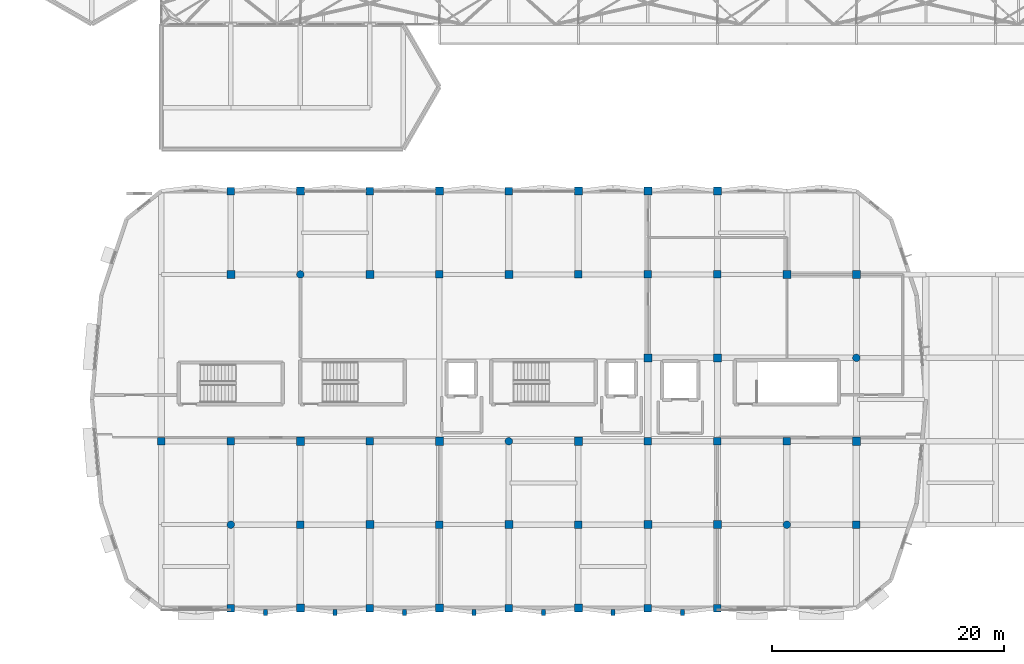
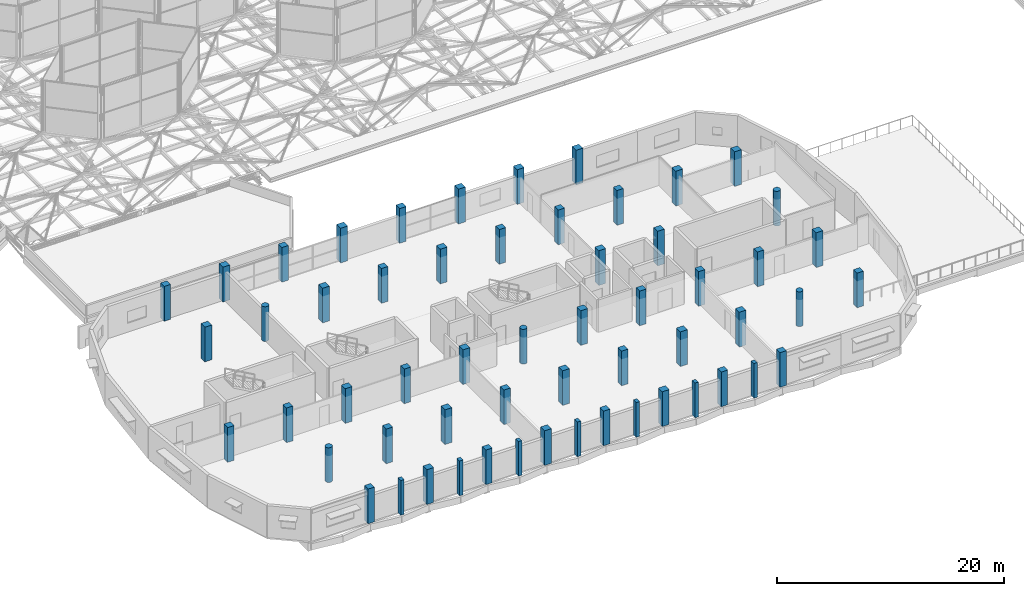
# One storey, part 1 of 239: 57 columns.
"""IFC4 building model written with IfcOpenShell, lengths in metres."""

from ifc_helpers import new_model, si_unit, direction, frame, origin, origin_2d, place, context, subcontext, project, spatial, rectangle, circle, extrude, material, material_profile, profile_set, type_object, element, save


model = new_model("IFC4")

# Units and contexts
model_context = context("Model", 3, precision=1e-05, world=origin(), true_north=direction((0.0, 1.0)))
body_context = subcontext(model_context, "Body", "Model", "MODEL_VIEW")
ifc_project = project(units=[si_unit("LENGTHUNIT", "METRE"), si_unit("AREAUNIT", "SQUARE_METRE"), si_unit("VOLUMEUNIT", "CUBIC_METRE"), si_unit("PLANEANGLEUNIT", "RADIAN"), si_unit("MASSUNIT", "GRAM", prefix="KILO")], contexts=[model_context])

# Site, building, storey
site_placement = place(None, origin())
site = spatial("IfcSite", under=ifc_project, at=site_placement, CompositionType="ELEMENT")
building_placement = place(site_placement, origin())
building = spatial("IfcBuilding", under=site, at=building_placement, Name="Dunvalen Ferry Terminal", CompositionType="ELEMENT")
storey_placement = place(building_placement, frame((0.0, 0.0, 9.840087890625)))
storey = spatial("IfcBuildingStorey", under=building, at=storey_placement, Name="L02", CompositionType="ELEMENT", Elevation=9.840087890625)

# Columns
ifc_material = material(Name="Concrete C40/50", Category="concrete")
ifc_material_profile_1 = material_profile(ifc_material, circle(Radius=0.324951171875, at=origin_2d()), Name="Concrete C40/50")
ifc_profile_set_1 = profile_set([ifc_material_profile_1], Name="Concrete C40/50")
column_type_1 = type_object("IfcColumnType", Name="STR-COL-D650", PredefinedType="COLUMN", material=ifc_profile_set_1)
for number, where, z_axis, x_axis, name in (
    (1, (18.0, 7.199951171875, 0.0), (0.0, 0.0, 1.0), (1.0, 0.0, 0.0), "L02 Maritime Wing Column 014"),
    (2, (24.0, 28.800048828125, 0.0), (0.0, 0.0, 1.0), (1.0, 0.0, 0.0), "L02 Maritime Wing Column 021"),
    (3, (42.0, 14.39990234375, 0.0), (0.0, 0.0, 1.0), (1.0, 0.0, 0.0), "L02 Maritime Wing Column 035"),
    (4, (66.0, 7.199951171875, 0.0), (0.0, 0.0, 1.0), (1.0, 0.0, 0.0), "L02 Maritime Wing Column 056"),
    (5, (72.0, 21.60009765625, 0.0), (0.0, 0.0, 1.0), (1.0, 0.0, 0.0), "L02 Maritime Wing Column 063"),
):
    element("IfcColumn", number, at=place(storey_placement, frame(where, z_axis=z_axis, x_axis=x_axis)), inside=storey, type_object=column_type_1, Name=name, PredefinedType="COLUMN", context=body_context, shape_type="SweptSolid", body=[
        extrude(circle(Radius=0.324951171875, at=origin_2d()), origin(), (0.0, 0.0, 1.0), 3.739990234375),
    ])
ifc_material_profile_2 = material_profile(ifc_material, rectangle(XDim=0.64990234375, YDim=0.64990234375, at=origin_2d()), Name="Concrete C40/50")
ifc_profile_set_2 = profile_set([ifc_material_profile_2], Name="Concrete C40/50")
column_type_2 = type_object("IfcColumnType", Name="STR-COL-RC650", PredefinedType="COLUMN", material=ifc_profile_set_2)
for number, where, z_axis, x_axis, name in (
    (6, (12.0, 14.39990234375, 0.0), (0.0, 0.0, 1.0), (1.0, 0.0, 0.0), "L02 Maritime Wing Column 009"),
    (7, (18.0, 0.0, 0.0), (0.0, 0.0, 1.0), (1.0, 0.0, 0.0), "L02 Maritime Wing Column 013"),
    (8, (18.0, 14.39990234375, 0.0), (0.0, 0.0, 1.0), (1.0, 0.0, 0.0), "L02 Maritime Wing Column 015"),
    (9, (18.0, 36.0, 0.0), (0.0, 0.0, 1.0), (1.0, 0.0, 0.0), "L02 Maritime Wing Column 017"),
    (10, (24.0, 7.199951171875, 0.0), (0.0, 0.0, 1.0), (1.0, 0.0, 0.0), "L02 Maritime Wing Column 019"),
    (11, (30.0, 0.0, 0.0), (0.0, 0.0, 1.0), (1.0, 0.0, 0.0), "L02 Maritime Wing Column 023"),
    (12, (30.0, 14.39990234375, 0.0), (0.0, 0.0, 1.0), (1.0, 0.0, 0.0), "L02 Maritime Wing Column 025"),
    (13, (30.0, 36.0, 0.0), (0.0, 0.0, 1.0), (1.0, 0.0, 0.0), "L02 Maritime Wing Column 027"),
    (14, (36.0, 7.199951171875, 0.0), (0.0, 0.0, 1.0), (1.0, 0.0, 0.0), "L02 Maritime Wing Column 029"),
    (15, (36.0, 28.800048828125, 0.0), (0.0, 0.0, 1.0), (1.0, 0.0, 0.0), "L02 Maritime Wing Column 031"),
    (16, (42.0, 0.0, 0.0), (0.0, 0.0, 1.0), (1.0, 0.0, 0.0), "L02 Maritime Wing Column 033"),
    (17, (42.0, 36.0, 0.0), (0.0, 0.0, 1.0), (1.0, 0.0, 0.0), "L02 Maritime Wing Column 037"),
    (18, (48.0, 7.199951171875, 0.0), (0.0, 0.0, 1.0), (1.0, 0.0, 0.0), "L02 Maritime Wing Column 039"),
    (19, (48.0, 28.800048828125, 0.0), (0.0, 0.0, 1.0), (1.0, 0.0, 0.0), "L02 Maritime Wing Column 041"),
    (20, (54.0, 0.0, 0.0), (0.0, 0.0, 1.0), (1.0, 0.0, 0.0), "L02 Maritime Wing Column 043"),
    (21, (54.0, 14.39990234375, 0.0), (0.0, 0.0, 1.0), (1.0, 0.0, 0.0), "L02 Maritime Wing Column 045"),
    (22, (54.0, 28.800048828125, 0.0), (0.0, 0.0, 1.0), (1.0, 0.0, 0.0), "L02 Maritime Wing Column 047"),
    (23, (60.0, 0.0, 0.0), (0.0, 0.0, 1.0), (1.0, 0.0, 0.0), "L02 Maritime Wing Column 049"),
    (24, (60.0, 14.39990234375, 0.0), (0.0, 0.0, 1.0), (1.0, 0.0, 0.0), "L02 Maritime Wing Column 051"),
    (25, (60.0, 28.800048828125, 0.0), (0.0, 0.0, 1.0), (1.0, 0.0, 0.0), "L02 Maritime Wing Column 053"),
    (26, (66.0, 14.39990234375, 0.0), (0.0, 0.0, 1.0), (1.0, 0.0, 0.0), "L02 Maritime Wing Column 057"),
    (27, (72.0, 7.199951171875, 0.0), (0.0, 0.0, 1.0), (1.0, 0.0, 0.0), "L02 Maritime Wing Column 061"),
):
    element("IfcColumn", number, at=place(storey_placement, frame(where, z_axis=z_axis, x_axis=x_axis)), inside=storey, type_object=column_type_2, Name=name, PredefinedType="COLUMN", context=body_context, shape_type="SweptSolid", body=[
        extrude(rectangle(XDim=0.64990234375, YDim=0.64990234375, at=origin_2d()), origin(), (0.0, 0.0, 1.0), 3.739990234375),
    ])
ifc_material_profile_3 = material_profile(ifc_material, rectangle(XDim=0.699951171875, YDim=0.699951171875, at=origin_2d()), Name="Concrete C40/50")
ifc_profile_set_3 = profile_set([ifc_material_profile_3], Name="Concrete C40/50")
column_type_3 = type_object("IfcColumnType", Name="STR-COL-RC700", PredefinedType="COLUMN", material=ifc_profile_set_3)
for number, where, z_axis, x_axis, name in (
    (28, (18.0, 28.800048828125, 0.0), (0.0, 0.0, 1.0), (1.0, 0.0, 0.0), "L02 Maritime Wing Column 016"),
    (29, (24.0, 0.0, 0.0), (0.0, 0.0, 1.0), (1.0, 0.0, 0.0), "L02 Maritime Wing Column 018"),
    (30, (24.0, 14.39990234375, 0.0), (0.0, 0.0, 1.0), (1.0, 0.0, 0.0), "L02 Maritime Wing Column 020"),
    (31, (24.0, 36.0, 0.0), (0.0, 0.0, 1.0), (1.0, 0.0, 0.0), "L02 Maritime Wing Column 022"),
    (32, (30.0, 7.199951171875, 0.0), (0.0, 0.0, 1.0), (1.0, 0.0, 0.0), "L02 Maritime Wing Column 024"),
    (33, (30.0, 28.800048828125, 0.0), (0.0, 0.0, 1.0), (1.0, 0.0, 0.0), "L02 Maritime Wing Column 026"),
    (34, (36.0, 0.0, 0.0), (0.0, 0.0, 1.0), (1.0, 0.0, 0.0), "L02 Maritime Wing Column 028"),
    (35, (36.0, 14.39990234375, 0.0), (0.0, 0.0, 1.0), (1.0, 0.0, 0.0), "L02 Maritime Wing Column 030"),
    (36, (36.0, 36.0, 0.0), (0.0, 0.0, 1.0), (1.0, 0.0, 0.0), "L02 Maritime Wing Column 032"),
    (37, (42.0, 7.199951171875, 0.0), (0.0, 0.0, 1.0), (1.0, 0.0, 0.0), "L02 Maritime Wing Column 034"),
    (38, (42.0, 28.800048828125, 0.0), (0.0, 0.0, 1.0), (1.0, 0.0, 0.0), "L02 Maritime Wing Column 036"),
    (39, (48.0, 0.0, 0.0), (0.0, 0.0, 1.0), (1.0, 0.0, 0.0), "L02 Maritime Wing Column 038"),
    (40, (48.0, 14.39990234375, 0.0), (0.0, 0.0, 1.0), (1.0, 0.0, 0.0), "L02 Maritime Wing Column 040"),
    (41, (48.0, 36.0, 0.0), (0.0, 0.0, 1.0), (1.0, 0.0, 0.0), "L02 Maritime Wing Column 042"),
    (42, (54.0, 7.199951171875, 0.0), (0.0, 0.0, 1.0), (1.0, 0.0, 0.0), "L02 Maritime Wing Column 044"),
    (43, (54.0, 21.60009765625, 0.0), (0.0, 0.0, 1.0), (1.0, 0.0, 0.0), "L02 Maritime Wing Column 046"),
    (44, (54.0, 36.0, 0.0), (0.0, 0.0, 1.0), (1.0, 0.0, 0.0), "L02 Maritime Wing Column 048"),
    (45, (60.0, 7.199951171875, 0.0), (0.0, 0.0, 1.0), (1.0, 0.0, 0.0), "L02 Maritime Wing Column 050"),
    (46, (60.0, 21.60009765625, 0.0), (0.0, 0.0, 1.0), (1.0, 0.0, 0.0), "L02 Maritime Wing Column 052"),
    (47, (60.0, 36.0, 0.0), (0.0, 0.0, 1.0), (1.0, 0.0, 0.0), "L02 Maritime Wing Column 054"),
    (48, (66.0, 28.800048828125, 0.0), (0.0, 0.0, 1.0), (1.0, 0.0, 0.0), "L02 Maritime Wing Column 058"),
    (49, (72.0, 14.39990234375, 0.0), (0.0, 0.0, 1.0), (1.0, 0.0, 0.0), "L02 Maritime Wing Column 062"),
    (50, (72.0, 28.800048828125, 0.0), (0.0, 0.0, 1.0), (1.0, 0.0, 0.0), "L02 Maritime Wing Column 064"),
):
    element("IfcColumn", number, at=place(storey_placement, frame(where, z_axis=z_axis, x_axis=x_axis)), inside=storey, type_object=column_type_3, Name=name, PredefinedType="COLUMN", context=body_context, shape_type="SweptSolid", body=[
        extrude(rectangle(XDim=0.699951171875, YDim=0.699951171875, at=origin_2d()), origin(), (0.0, 0.0, 1.0), 3.739990234375),
    ])
ifc_material_profile_4 = material_profile(ifc_material, rectangle(XDim=0.35009765625, YDim=0.5, at=origin_2d()), Name="Concrete C40/50")
ifc_profile_set_4 = profile_set([ifc_material_profile_4], Name="Concrete C40/50")
column_type_4 = type_object("IfcColumnType", Name="STR-PIL-350x500", PredefinedType="PILASTER", material=ifc_profile_set_4)
for number, where, z_axis, x_axis, name in (
    (51, (21.0, -0.3798828125, 0.0), (0.0, 0.0, 1.0), (1.0, 0.0, 0.0), "L02 South Forecourt Pilaster 01"),
    (52, (27.0, -0.3798828125, 0.0), (0.0, 0.0, 1.0), (1.0, 0.0, 0.0), "L02 South Forecourt Pilaster 02"),
    (53, (33.0, -0.3798828125, 0.0), (0.0, 0.0, 1.0), (1.0, 0.0, 0.0), "L02 South Forecourt Pilaster 03"),
    (54, (39.0, -0.3798828125, 0.0), (0.0, 0.0, 1.0), (1.0, 0.0, 0.0), "L02 South Forecourt Pilaster 04"),
    (55, (45.0, -0.3798828125, 0.0), (0.0, 0.0, 1.0), (1.0, 0.0, 0.0), "L02 South Forecourt Pilaster 05"),
    (56, (51.0, -0.3798828125, 0.0), (0.0, 0.0, 1.0), (1.0, 0.0, 0.0), "L02 South Forecourt Pilaster 06"),
    (57, (57.0, -0.3798828125, 0.0), (0.0, 0.0, 1.0), (1.0, 0.0, 0.0), "L02 South Forecourt Pilaster 07"),
):
    element("IfcColumn", number, at=place(storey_placement, frame(where, z_axis=z_axis, x_axis=x_axis)), inside=storey, type_object=column_type_4, Name=name, PredefinedType="PILASTER", context=body_context, shape_type="SweptSolid", body=[
        extrude(rectangle(XDim=0.35009765625, YDim=0.5, at=origin_2d()), origin(), (0.0, 0.0, 1.0), 3.739990234375),
    ])

save(model, "model.ifc")
